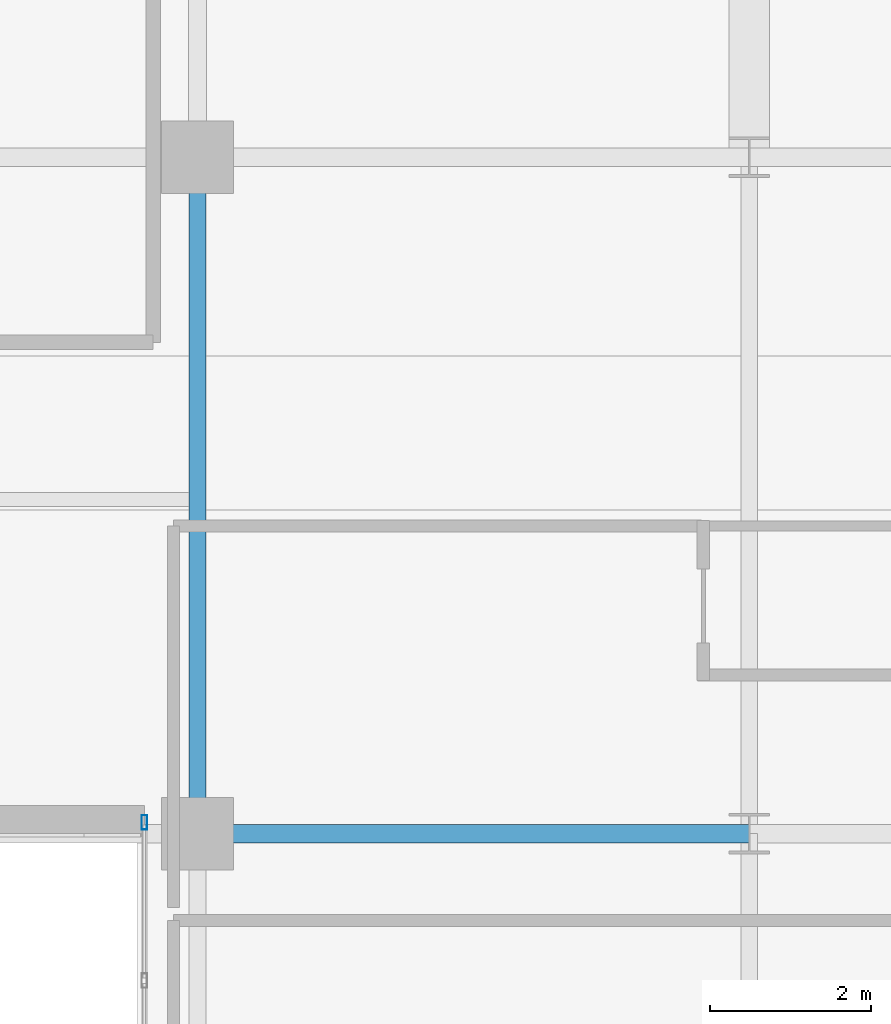
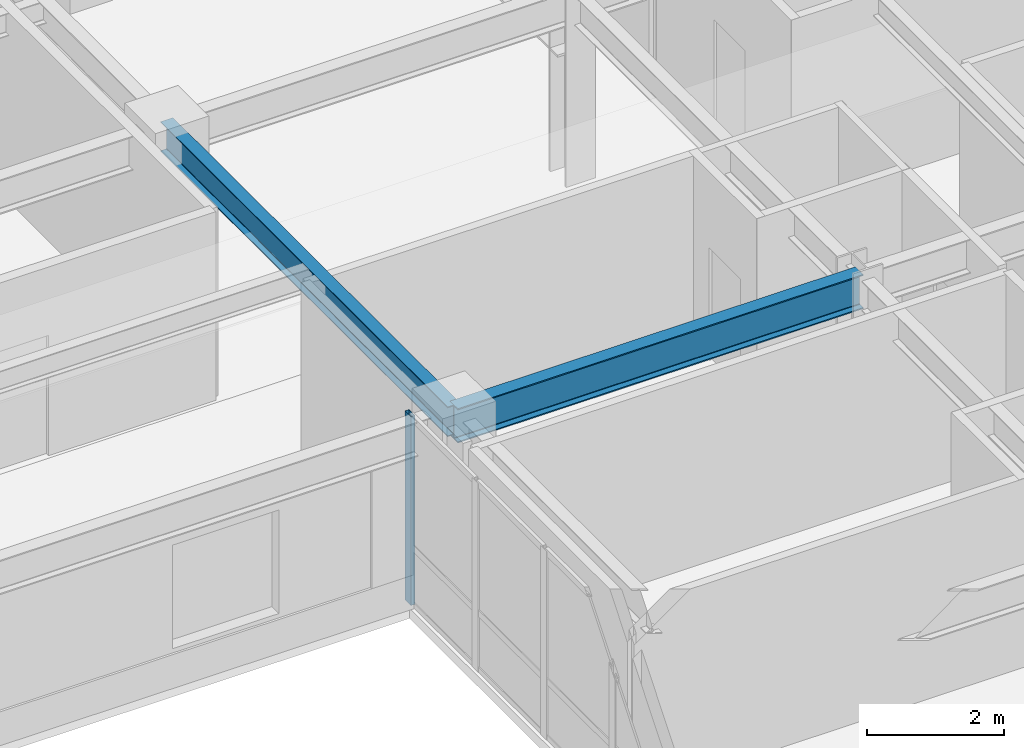
# One storey, part 11 of 24: 2 beams, 1 member, 1 element without a shape of its own.
"""IFC4 building model written with IfcOpenShell, lengths in metres."""

from ifc_helpers import new_model, si_unit, direction, frame, origin, origin_2d, place, context, subcontext, project, spatial, hollow_rectangle, i_section, extrude, source, transform, mapped, material, layer, layer_set, material_profile, profile_set, type_object, type_shapes, element, aggregate, save


model = new_model("IFC4")

# Units and contexts
model_context = context("Model", 3, precision=1e-05, world=origin(), true_north=direction((0.0, 1.0)))
body_context = subcontext(model_context, "Body", "Model", "MODEL_VIEW")
ifc_project = project(units=[si_unit("LENGTHUNIT", "METRE"), si_unit("AREAUNIT", "SQUARE_METRE"), si_unit("VOLUMEUNIT", "CUBIC_METRE"), si_unit("PLANEANGLEUNIT", "RADIAN"), si_unit("MASSUNIT", "GRAM", prefix="KILO")], contexts=[model_context])

# Site, building, storey
site_placement = place(None, origin())
site = spatial("IfcSite", under=ifc_project, at=site_placement, CompositionType="ELEMENT")
building_placement = place(site_placement, origin())
building = spatial("IfcBuilding", under=site, at=building_placement, Name="Tolvann Quenvar Hotel", CompositionType="ELEMENT")
storey_placement = place(building_placement, frame((0.0, 0.0, 81.699951171875)))
storey = spatial("IfcBuildingStorey", under=building, at=storey_placement, Name="L20", CompositionType="ELEMENT", Elevation=81.699951171875)

# Beams
ifc_material_1 = material(Name="Steel Grade 350", Category="steel")
ifc_material_profile_1 = material_profile(ifc_material_1, i_section(OverallWidth=0.22900390625, OverallDepth=0.612060546875, WebThickness=0.011962890625, FlangeThickness=0.01953125, FilletRadius=0.013916015625, at=origin_2d()), Name="610UB125")
ifc_profile_set_1 = profile_set([ifc_material_profile_1], Name="Steel Grade 350")
beam_type_1 = type_object("IfcBeamType", Name="BM_GIRD_610UB125", PredefinedType="BEAM", material=ifc_profile_set_1)
shared_shape_1 = source(origin(), body_context, "Body", "SweptSolid", [
    extrude(i_section(OverallWidth=0.22900390625, OverallDepth=0.612060546875, WebThickness=0.011962890625, FlangeThickness=0.01953125, FilletRadius=0.013916015625, at=origin_2d()), origin(), (0.0, 0.0, 1.0), 6.85009765625),
])
type_shapes(beam_type_1, [shared_shape_1])
beam_1_placement = place(storey_placement, frame((34.949951171875, 16.0, 3.06396484375), z_axis=(1.0, 0.0, 0.0), x_axis=(0.0, 1.0, 0.0)))
element("IfcBeam", 1, at=beam_1_placement, inside=storey, type_object=beam_type_1, Name="BM-L20-EW-4-F4-H4", PredefinedType="BEAM", context=body_context, shape_type="MappedRepresentation", body=[
    mapped(shared_shape_1, transform((0.0, 0.0, 0.0), x_axis=(1.0, 0.0, 0.0), y_axis=(0.0, 1.0, 0.0), z_axis=(0.0, 0.0, 1.0), scale=1.0)),
])
ifc_material_profile_2 = material_profile(ifc_material_1, i_section(OverallWidth=0.208984375, OverallDepth=0.532958984375, WebThickness=0.01025390625, FlangeThickness=0.015625, FilletRadius=0.013916015625, at=origin_2d()), Name="530UB92")
ifc_profile_set_2 = profile_set([ifc_material_profile_2], Name="Steel Grade 350")
beam_type_2 = type_object("IfcBeamType", Name="BM_GIRD_530UB92", PredefinedType="BEAM", material=ifc_profile_set_2)
shared_shape_2 = source(origin(), body_context, "Body", "SweptSolid", [
    extrude(i_section(OverallWidth=0.208984375, OverallDepth=0.532958984375, WebThickness=0.01025390625, FlangeThickness=0.015625, FilletRadius=0.013916015625, at=origin_2d()), origin(), (0.0, 0.0, 1.0), 8.39990234375),
])
type_shapes(beam_type_2, [shared_shape_2])
beam_2_placement = place(storey_placement, frame((34.949951171875, 16.0, 3.103515625), z_axis=(0.0, 1.0, 0.0), x_axis=(-1.0, 0.0, 0.0)))
element("IfcBeam", 2, at=beam_2_placement, inside=storey, type_object=beam_type_2, Name="BM-L20-NS-F4-F5", PredefinedType="BEAM", context=body_context, shape_type="MappedRepresentation", body=[
    mapped(shared_shape_2, transform((0.0, 0.0, 0.0), x_axis=(1.0, 0.0, 0.0), y_axis=(0.0, 1.0, 0.0), z_axis=(0.0, 0.0, 1.0), scale=1.0)),
])

# Curtain wall, member
ifc_material_2 = material(Name="Thermally broken anodised architectural aluminium 6063-T6 and laminated low-E glass", Category="aluminium")
ifc_layer = layer(ifc_material_2, 0.179931640625)
ifc_layer_set = layer_set([ifc_layer], Name="Thermally broken anodised architectural aluminium 6063-T6 and laminated low-E glass")
curtain_wall_type = type_object("IfcCurtainWallType", Name="CW_SYS_SLOT_03", PredefinedType="USERDEFINED", material=ifc_layer_set)
curtain_wall_placement = place(storey_placement, origin())
curtain_wall = element("IfcCurtainWall", 3, at=curtain_wall_placement, inside=storey, type_object=curtain_wall_type, Name="Curtain Wall CW-SLOT-03 (CWR-L20-E07)", ObjectType="UNITISED CURTAIN WALL", PredefinedType="USERDEFINED")
ifc_material_3 = material(Name="Anodised architectural aluminium 6063-T6 framing", Category="aluminium")
ifc_material_profile_3 = material_profile(ifc_material_3, hollow_rectangle(XDim=0.070068359375, YDim=0.179931640625, WallThickness=0.00390625, at=origin_2d()), Name="180x70x4RHS")
ifc_profile_set_3 = profile_set([ifc_material_profile_3], Name="Anodised architectural aluminium 6063-T6 framing")
member_type = type_object("IfcMemberType", Name="CW_MULL_180x70", PredefinedType="MULLION", material=ifc_profile_set_3)
shared_shape_3 = source(origin(), body_context, "Body", "SweptSolid", [
    extrude(hollow_rectangle(XDim=0.070068359375, YDim=0.179931640625, WallThickness=0.00390625, at=origin_2d()), origin(), (0.0, 0.0, 1.0), 3.3701171875),
])
type_shapes(member_type, [shared_shape_3])
member_placement = place(storey_placement, frame((34.2900390625, 16.139892578125, 0.0), z_axis=(0.0, 0.0, 1.0), x_axis=(1.0, 0.0, 0.0)))
member = element("IfcMember", 4, at=member_placement, type_object=member_type, Name="CW-SLOT-03 mullion 1", PredefinedType="MULLION", context=body_context, shape_type="MappedRepresentation", body=[
    mapped(shared_shape_3, transform((0.0, 0.0, 0.0), x_axis=(1.0, 0.0, 0.0), y_axis=(0.0, 1.0, 0.0), z_axis=(0.0, 0.0, 1.0), scale=1.0)),
])
aggregate(curtain_wall, [member])

save(model, "model.ifc")
